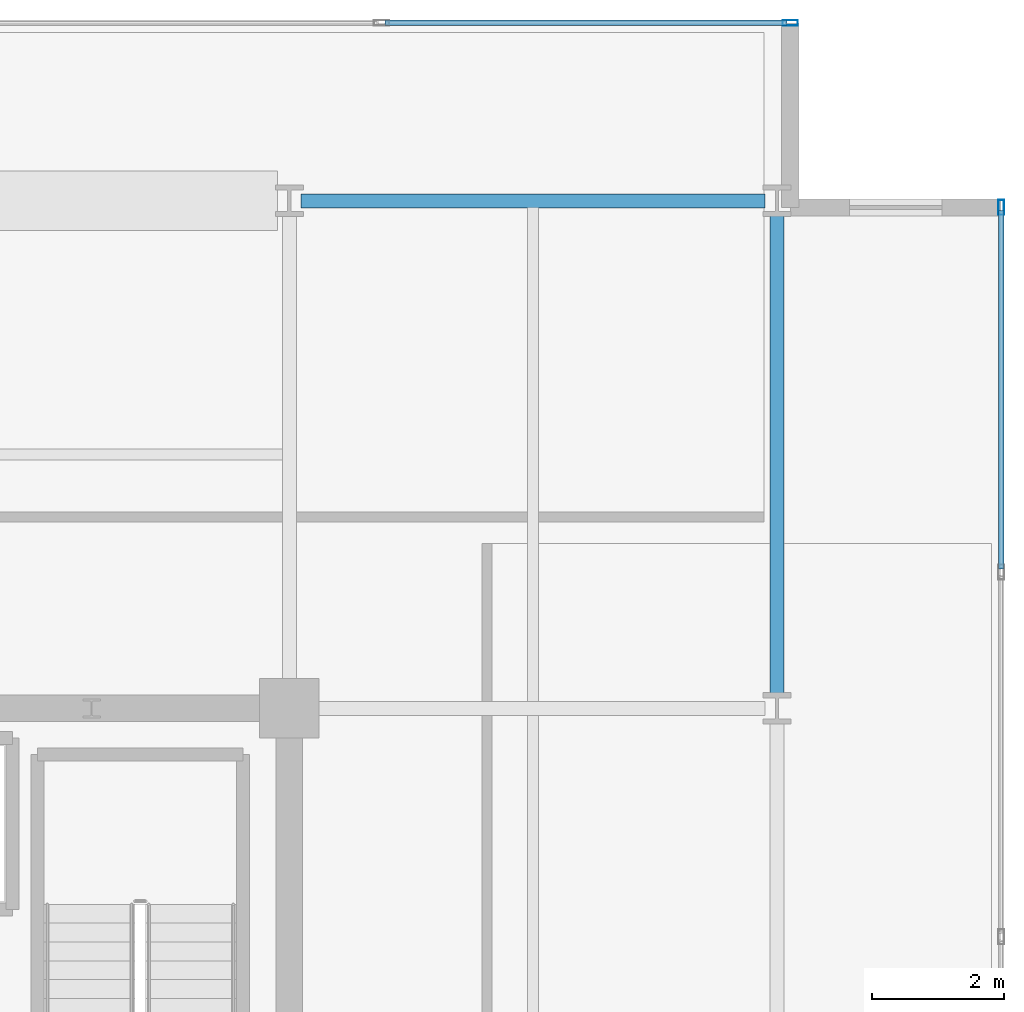
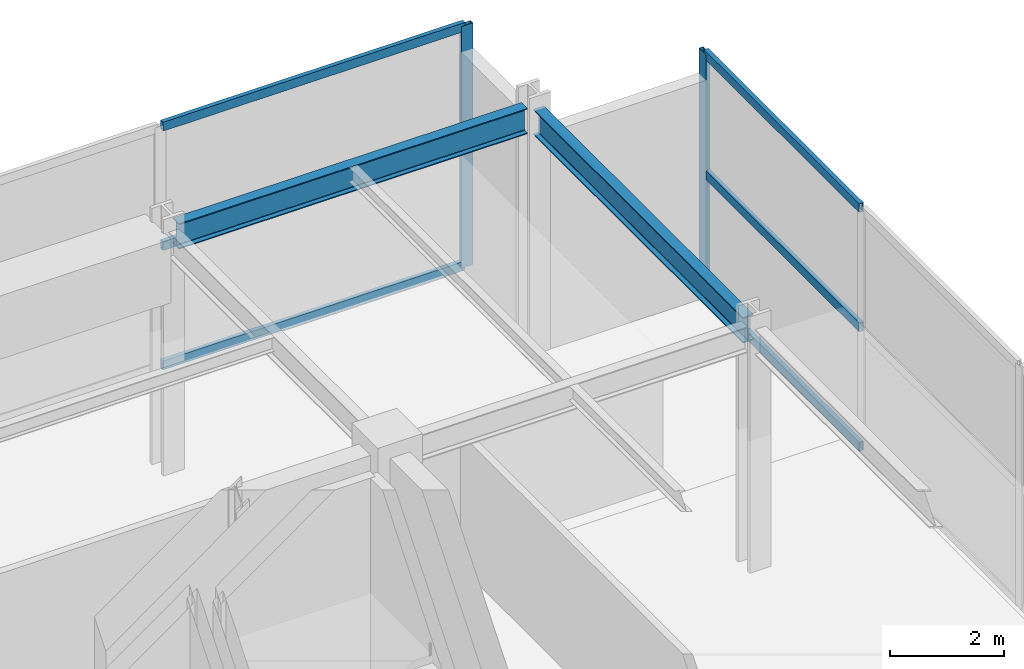
# One storey, part 16 of 24: 8 members, 2 beams, 2 elements without a shape of their own.
"""IFC4 building model written with IfcOpenShell, lengths in metres."""

from ifc_helpers import new_model, si_unit, direction, frame, origin, origin_2d, place, context, subcontext, project, spatial, hollow_rectangle, i_section, extrude, material, material_profile, profile_set, type_object, element, aggregate, save


model = new_model("IFC4")

# Units and contexts
model_context = context("Model", 3, precision=1e-05, world=origin(), true_north=direction((0.0, 1.0)))
body_context = subcontext(model_context, "Body", "Model", "MODEL_VIEW")
ifc_project = project(units=[si_unit("LENGTHUNIT", "METRE"), si_unit("AREAUNIT", "SQUARE_METRE"), si_unit("VOLUMEUNIT", "CUBIC_METRE"), si_unit("PLANEANGLEUNIT", "RADIAN"), si_unit("MASSUNIT", "GRAM", prefix="KILO")], contexts=[model_context])

# Site, building, storey
site_placement = place(None, origin())
site = spatial("IfcSite", under=ifc_project, at=site_placement, CompositionType="ELEMENT")
building_placement = place(site_placement, origin())
building = spatial("IfcBuilding", under=site, at=building_placement, Name="Kovane Verandah Tower", CompositionType="ELEMENT")
storey_placement = place(building_placement, frame((0.0, 0.0, 348.800048828125)))
storey = spatial("IfcBuildingStorey", under=building, at=storey_placement, Name="L81", CompositionType="ELEMENT", Elevation=348.800048828125)

# Beams
ifc_material_1 = material(Name="Steel S355", Category="steel")
ifc_material_profile_1 = material_profile(ifc_material_1, i_section(OverallWidth=0.2119140625, OverallDepth=0.54443359375, WebThickness=0.0126953125, FlangeThickness=0.021240234375, FilletRadius=0.0126953125, at=origin_2d()), Name="UB533x210x122")
ifc_profile_set_1 = profile_set([ifc_material_profile_1], Name="Steel S355")
beam_type = type_object("IfcBeamType", Name="BM-UB533x122", PredefinedType="BEAM", material=ifc_profile_set_1)
beam_1_placement = place(storey_placement, frame((51.179931640625, 44.199951171875, 4.927734375), z_axis=(1.0, 0.0, 0.0), x_axis=(0.0, 1.0, 0.0)))
element("IfcBeam", 1, at=beam_1_placement, inside=storey, type_object=beam_type, Name="L81 Primary Tower Girder G-RN3", PredefinedType="BEAM", context=body_context, shape_type="SweptSolid", body=[
    extrude(i_section(OverallWidth=0.2119140625, OverallDepth=0.54443359375, WebThickness=0.0126953125, FlangeThickness=0.021240234375, FilletRadius=0.0126953125, at=origin_2d()), origin(), (0.0, 0.0, 1.0), 7.0400390625),
])
beam_2_placement = place(storey_placement, frame((58.39990234375, 36.679931640625, 4.927734375), z_axis=(0.0, 1.0, 0.0), x_axis=(-1.0, 0.0, 0.0)))
element("IfcBeam", 2, at=beam_2_placement, inside=storey, type_object=beam_type, Name="L81 Primary Tower Girder G-RE3", PredefinedType="BEAM", context=body_context, shape_type="SweptSolid", body=[
    extrude(i_section(OverallWidth=0.2119140625, OverallDepth=0.54443359375, WebThickness=0.0126953125, FlangeThickness=0.021240234375, FilletRadius=0.0126953125, at=origin_2d()), origin(), (0.0, 0.0, 1.0), 7.340087890625),
])

# Curtain wall, member
ifc_material_2 = material(Name="Champagne Anodised Aluminium Frame with Low-E Clear Laminated Glass", Category="aluminium")
curtain_wall_type = type_object("IfcCurtainWallType", Name="CW-SYS-06-CROWN", PredefinedType="NOTDEFINED", material=ifc_material_2)
curtain_wall_1_placement = place(storey_placement, origin())
curtain_wall_1 = element("IfcCurtainWall", 3, at=curtain_wall_1_placement, inside=storey, type_object=curtain_wall_type, Name="L81 E Unitised Curtain Wall", PredefinedType="NOTDEFINED")
ifc_material_3 = material(Name="Champagne Anodised Aluminium 6063-T6", Category="aluminium")
ifc_material_profile_2 = material_profile(ifc_material_3, hollow_rectangle(XDim=0.0849609375, YDim=0.22998046875, WallThickness=0.00390625, at=origin_2d()), Name="AL85x230x4")
ifc_profile_set_2 = profile_set([ifc_material_profile_2], Name="Champagne Anodised Aluminium 6063-T6")
member_type_1 = type_object("IfcMemberType", Name="CW-MUL-85x230", PredefinedType="MULLION", material=ifc_profile_set_2)
member_1_placement = place(storey_placement, frame((61.800048828125, 44.10009765625, 0.02001953125), z_axis=(0.0, 0.0, 1.0), x_axis=(1.0, 0.0, 0.0)))
member_1 = element("IfcMember", 4, at=member_1_placement, type_object=member_type_1, Name="L81 E Unitised Curtain Wall Mullion 7", PredefinedType="MULLION", context=body_context, shape_type="SweptSolid", body=[
    extrude(hollow_rectangle(XDim=0.0849609375, YDim=0.22998046875, WallThickness=0.00390625, at=origin_2d()), origin(), (0.0, 0.0, 1.0), 5.159912109375),
])

curtain_wall_2_placement = place(storey_placement, origin())
curtain_wall_2 = element("IfcCurtainWall", 5, at=curtain_wall_2_placement, inside=storey, type_object=curtain_wall_type, Name="L81 N Unitised Curtain Wall", PredefinedType="NOTDEFINED")
member_2_placement = place(storey_placement, frame((58.60009765625, 46.89990234375, 0.02001953125), z_axis=(0.0, 0.0, 1.0), x_axis=(0.0, 1.0, 0.0)))
member_2 = element("IfcMember", 6, at=member_2_placement, type_object=member_type_1, Name="L81 N Unitised Curtain Wall Mullion 1", PredefinedType="MULLION", context=body_context, shape_type="SweptSolid", body=[
    extrude(hollow_rectangle(XDim=0.0849609375, YDim=0.22998046875, WallThickness=0.00390625, at=origin_2d()), origin(), (0.0, 0.0, 1.0), 5.159912109375),
])

# Member
ifc_material_profile_3 = material_profile(ifc_material_3, hollow_rectangle(XDim=0.0849609375, YDim=0.18994140625, WallThickness=0.00390625, at=origin_2d()), Name="AL85x190x4")
ifc_profile_set_3 = profile_set([ifc_material_profile_3], Name="Champagne Anodised Aluminium 6063-T6")
member_type_2 = type_object("IfcMemberType", Name="CW-TRN-85x190", PredefinedType="USERDEFINED", material=ifc_profile_set_3)
member_3_placement = place(storey_placement, frame((61.800048828125, 38.61669921875, 0.050048828125), z_axis=(0.0, 1.0, 0.0), x_axis=(-1.0, 0.0, 0.0)))
member_3 = element("IfcMember", 7, at=member_3_placement, type_object=member_type_2, Name="L81 E Unitised Curtain Wall Transom TB Bay 6", ObjectType="TRANSOM", PredefinedType="USERDEFINED", context=body_context, shape_type="SweptSolid", body=[
    extrude(hollow_rectangle(XDim=0.0849609375, YDim=0.18994140625, WallThickness=0.00390625, at=origin_2d()), origin(), (0.0, 0.0, 1.0), 5.433349609375),
])

member_4_placement = place(storey_placement, frame((61.800048828125, 38.61669921875, 2.599853515625), z_axis=(0.0, 1.0, 0.0), x_axis=(-1.0, 0.0, 0.0)))
member_4 = element("IfcMember", 8, at=member_4_placement, type_object=member_type_2, Name="L81 E Unitised Curtain Wall Transom TM Bay 6", ObjectType="TRANSOM", PredefinedType="USERDEFINED", context=body_context, shape_type="SweptSolid", body=[
    extrude(hollow_rectangle(XDim=0.0849609375, YDim=0.18994140625, WallThickness=0.00390625, at=origin_2d()), origin(), (0.0, 0.0, 1.0), 5.433349609375),
])

member_5_placement = place(storey_placement, frame((61.800048828125, 38.61669921875, 5.14990234375), z_axis=(0.0, 1.0, 0.0), x_axis=(-1.0, 0.0, 0.0)))
member_5 = element("IfcMember", 9, at=member_5_placement, type_object=member_type_2, Name="L81 E Unitised Curtain Wall Transom TT Bay 6", ObjectType="TRANSOM", PredefinedType="USERDEFINED", context=body_context, shape_type="SweptSolid", body=[
    extrude(hollow_rectangle(XDim=0.0849609375, YDim=0.18994140625, WallThickness=0.00390625, at=origin_2d()), origin(), (0.0, 0.0, 1.0), 5.433349609375),
])

aggregate(curtain_wall_1, [member_1, member_3, member_4, member_5])

member_6_placement = place(storey_placement, frame((58.550048828125, 46.89990234375, 0.050048828125), z_axis=(-1.0, 0.0, 0.0), x_axis=(0.0, -1.0, 0.0)))
member_6 = element("IfcMember", 10, at=member_6_placement, type_object=member_type_2, Name="L81 N Unitised Curtain Wall Transom TB Bay 1", ObjectType="TRANSOM", PredefinedType="USERDEFINED", context=body_context, shape_type="SweptSolid", body=[
    extrude(hollow_rectangle(XDim=0.0849609375, YDim=0.18994140625, WallThickness=0.00390625, at=origin_2d()), origin(), (0.0, 0.0, 1.0), 6.10009765625),
])

member_7_placement = place(storey_placement, frame((58.550048828125, 46.89990234375, 2.599853515625), z_axis=(-1.0, 0.0, 0.0), x_axis=(0.0, -1.0, 0.0)))
member_7 = element("IfcMember", 11, at=member_7_placement, type_object=member_type_2, Name="L81 N Unitised Curtain Wall Transom TM Bay 1", ObjectType="TRANSOM", PredefinedType="USERDEFINED", context=body_context, shape_type="SweptSolid", body=[
    extrude(hollow_rectangle(XDim=0.0849609375, YDim=0.18994140625, WallThickness=0.00390625, at=origin_2d()), origin(), (0.0, 0.0, 1.0), 6.10009765625),
])

member_8_placement = place(storey_placement, frame((58.550048828125, 46.89990234375, 5.14990234375), z_axis=(-1.0, 0.0, 0.0), x_axis=(0.0, -1.0, 0.0)))
member_8 = element("IfcMember", 12, at=member_8_placement, type_object=member_type_2, Name="L81 N Unitised Curtain Wall Transom TT Bay 1", ObjectType="TRANSOM", PredefinedType="USERDEFINED", context=body_context, shape_type="SweptSolid", body=[
    extrude(hollow_rectangle(XDim=0.0849609375, YDim=0.18994140625, WallThickness=0.00390625, at=origin_2d()), origin(), (0.0, 0.0, 1.0), 6.10009765625),
])

aggregate(curtain_wall_2, [member_2, member_6, member_7, member_8])

save(model, "model.ifc")
